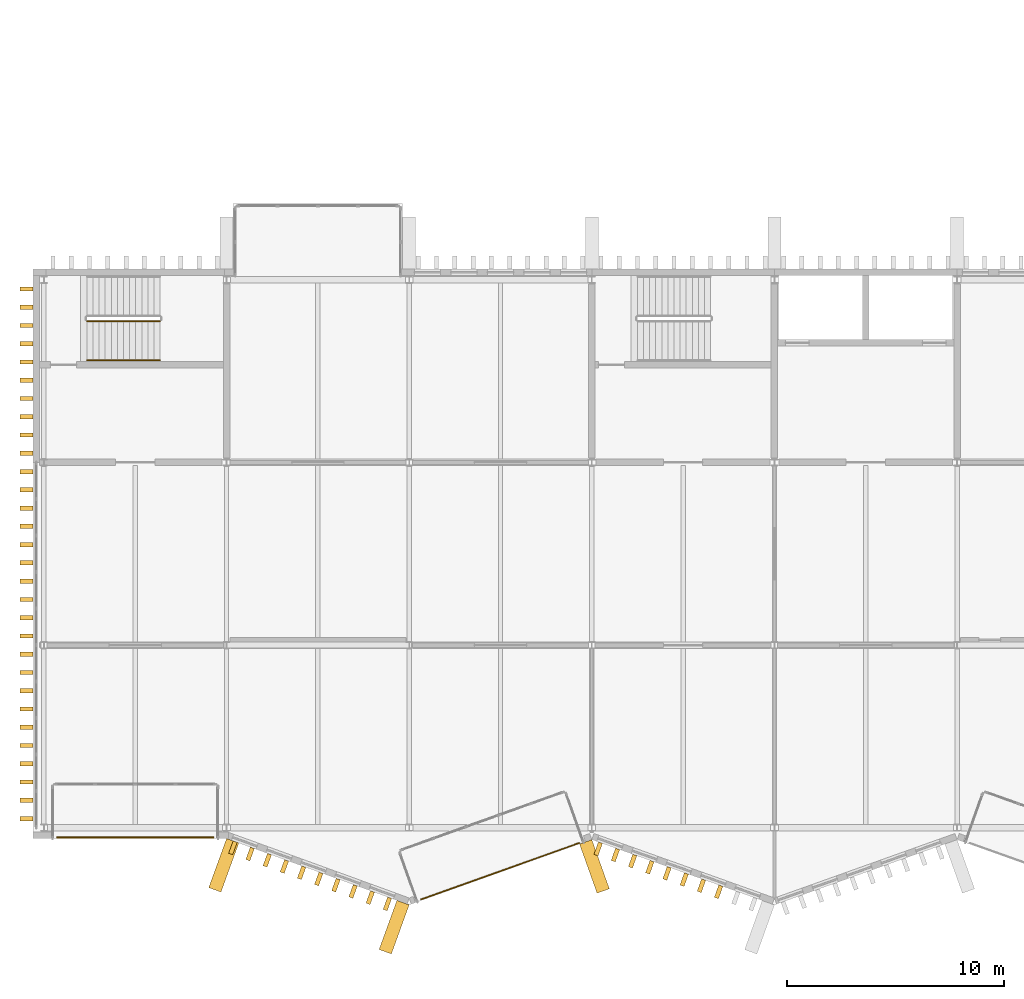
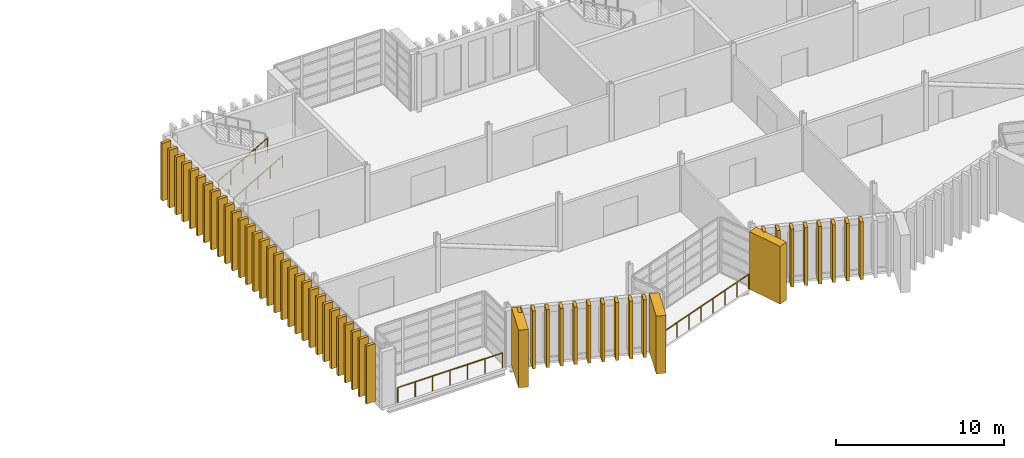
# One storey, part 87 of 100: 51 coverings, 4 railings.
"""IFC4 building model written with IfcOpenShell, lengths in metres."""

from ifc_helpers import new_model, si_unit, direction, frame, origin, origin_2d, place, context, subcontext, project, spatial, rectangle, circle, extrude, material, type_object, element, save


model = new_model("IFC4")

# Units and contexts
model_context = context("Model", 3, precision=1e-05, world=origin(), true_north=direction((0.0, 1.0)))
body_context = subcontext(model_context, "Body", "Model", "MODEL_VIEW")
ifc_project = project(units=[si_unit("LENGTHUNIT", "METRE"), si_unit("AREAUNIT", "SQUARE_METRE"), si_unit("VOLUMEUNIT", "CUBIC_METRE"), si_unit("PLANEANGLEUNIT", "RADIAN"), si_unit("MASSUNIT", "GRAM", prefix="KILO")], contexts=[model_context])

# Site, building, storey
site_placement = place(None, origin())
site = spatial("IfcSite", under=ifc_project, at=site_placement, CompositionType="ELEMENT")
building_placement = place(site_placement, origin())
building = spatial("IfcBuilding", under=site, at=building_placement, Name="Cresset Court Congress Hotel", CompositionType="ELEMENT")
storey_placement = place(building_placement, frame((0.0, 0.0, 10.199951171875)))
storey = spatial("IfcBuildingStorey", under=building, at=storey_placement, Name="L02", CompositionType="ELEMENT", Elevation=10.199951171875)

# Railings
ifc_material_1 = material(Name="Steel and laminated glass", Category="steel")
railing_type_1 = type_object("IfcRailingType", Name="Guard 1100 steel and glass", PredefinedType="GUARDRAIL", material=ifc_material_1)
railing_1_placement = place(storey_placement, frame((10.3798828125, 23.300048828125, 0.16162109375)))
element("IfcRailing", 1, at=railing_1_placement, inside=storey, type_object=railing_type_1, Name="L02 ST-B1 stair guard 1", PredefinedType="GUARDRAIL", context=body_context, shape_type="SweptSolid", body=[
    extrude(circle(Radius=0.02392578125, at=origin_2d()), frame((0.0, 0.0, 1.076171875), z_axis=(0.866190824863, 0.0, 0.499713372768), x_axis=(0.0, 1.0, 0.0)), (0.0, 0.0, 1.0), 3.879150390625),
    extrude(circle(Radius=0.02099609375, at=origin_2d()), origin(), (0.0, 0.0, 1.0), 1.052001953125),
    extrude(circle(Radius=0.02099609375, at=origin_2d()), frame((0.840087890625, 0.0, 0.484619140625)), (0.0, 0.0, 1.0), 1.052001953125),
    extrude(circle(Radius=0.02099609375, at=origin_2d()), frame((1.68017578125, 0.0, 0.96923828125)), (0.0, 0.0, 1.0), 1.052001953125),
    extrude(circle(Radius=0.02099609375, at=origin_2d()), frame((2.52001953125, 0.0, 1.453857421875)), (0.0, 0.0, 1.0), 1.052001953125),
    extrude(circle(Radius=0.02099609375, at=origin_2d()), frame((3.360107421875, 0.0, 1.9384765625)), (0.0, 0.0, 1.0), 1.052001953125),
])
ifc_material_2 = material(Name="Steel and laminated glass", Category="steel")
railing_type_2 = type_object("IfcRailingType", Name="Guard 1100 steel and glass external", PredefinedType="GUARDRAIL", material=ifc_material_2)
railing_2_placement = place(storey_placement, frame((9.0, -0.449951171875, 0.0)))
element("IfcRailing", 2, at=railing_2_placement, inside=storey, type_object=railing_type_2, Name="Guard to recess S0201", PredefinedType="GUARDRAIL", context=body_context, shape_type="SweptSolid", body=[
    extrude(circle(Radius=0.02392578125, at=origin_2d()), frame((0.0, 0.0, 1.076171875), z_axis=(1.0, 0.0, 0.0), x_axis=(0.0, 1.0, 0.0)), (0.0, 0.0, 1.0), 7.199951171875),
    extrude(circle(Radius=0.02099609375, at=origin_2d()), origin(), (0.0, 0.0, 1.0), 1.052001953125),
    extrude(circle(Radius=0.02099609375, at=origin_2d()), frame((1.199951171875, 0.0, 0.0)), (0.0, 0.0, 1.0), 1.052001953125),
    extrude(circle(Radius=0.02099609375, at=origin_2d()), frame((2.39990234375, 0.0, 0.0)), (0.0, 0.0, 1.0), 1.052001953125),
    extrude(circle(Radius=0.02099609375, at=origin_2d()), frame((3.60009765625, 0.0, 0.0)), (0.0, 0.0, 1.0), 1.052001953125),
    extrude(circle(Radius=0.02099609375, at=origin_2d()), frame((4.800048828125, 0.0, 0.0)), (0.0, 0.0, 1.0), 1.052001953125),
    extrude(circle(Radius=0.02099609375, at=origin_2d()), frame((6.0, 0.0, 0.0)), (0.0, 0.0, 1.0), 1.052001953125),
    extrude(circle(Radius=0.02099609375, at=origin_2d()), frame((7.199951171875, 0.0, 0.0)), (0.0, 0.0, 1.0), 1.052001953125),
])
railing_3_placement = place(storey_placement, frame((25.748291015625, -3.301025390625, 0.0)))
element("IfcRailing", 3, at=railing_3_placement, inside=storey, type_object=railing_type_2, Name="Guard to recess S0204", PredefinedType="GUARDRAIL", context=body_context, shape_type="SweptSolid", body=[
    extrude(circle(Radius=0.02392578125, at=origin_2d()), frame((0.0, 0.0, 1.076171875), z_axis=(0.941748351249, 0.336318365422, 0.0), x_axis=(-0.336318365422, 0.941748351249, 0.0)), (0.0, 0.0, 1.0), 7.719482421875),
    extrude(circle(Radius=0.02099609375, at=origin_2d()), origin(), (0.0, 0.0, 1.0), 1.052001953125),
    extrude(circle(Radius=0.02099609375, at=origin_2d()), frame((1.03857421875, 0.370849609375, 0.0)), (0.0, 0.0, 1.0), 1.052001953125),
    extrude(circle(Radius=0.02099609375, at=origin_2d()), frame((2.0771484375, 0.74169921875, 0.0)), (0.0, 0.0, 1.0), 1.052001953125),
    extrude(circle(Radius=0.02099609375, at=origin_2d()), frame((3.11572265625, 1.112548828125, 0.0)), (0.0, 0.0, 1.0), 1.052001953125),
    extrude(circle(Radius=0.02099609375, at=origin_2d()), frame((4.154052734375, 1.483642578125, 0.0)), (0.0, 0.0, 1.0), 1.052001953125),
    extrude(circle(Radius=0.02099609375, at=origin_2d()), frame((5.192626953125, 1.8544921875, 0.0)), (0.0, 0.0, 1.0), 1.052001953125),
    extrude(circle(Radius=0.02099609375, at=origin_2d()), frame((6.231201171875, 2.225341796875, 0.0)), (0.0, 0.0, 1.0), 1.052001953125),
    extrude(circle(Radius=0.02099609375, at=origin_2d()), frame((7.269775390625, 2.59619140625, 0.0)), (0.0, 0.0, 1.0), 1.052001953125),
])
ifc_material_3 = material(Name="Stainless steel", Category="steel")
railing_type_3 = type_object("IfcRailingType", Name="Handrail 48 stainless", PredefinedType="HANDRAIL", material=ifc_material_3)
railing_4_placement = place(storey_placement, frame((10.3798828125, 21.5, 0.16162109375)))
element("IfcRailing", 4, at=railing_4_placement, inside=storey, type_object=railing_type_3, Name="L02 ST-B1 stair handrail 1", PredefinedType="HANDRAIL", context=body_context, shape_type="SweptSolid", body=[
    extrude(circle(Radius=0.02392578125, at=origin_2d()), frame((0.0, 0.0, 0.8759765625), z_axis=(0.866190824863, 0.0, 0.499713372768), x_axis=(0.0, 1.0, 0.0)), (0.0, 0.0, 1.0), 3.879150390625),
    extrude(circle(Radius=0.02099609375, at=origin_2d()), origin(), (0.0, 0.0, 1.0), 0.851806640625),
    extrude(circle(Radius=0.02099609375, at=origin_2d()), frame((0.840087890625, 0.0, 0.484619140625)), (0.0, 0.0, 1.0), 0.851806640625),
    extrude(circle(Radius=0.02099609375, at=origin_2d()), frame((1.68017578125, 0.0, 0.96923828125)), (0.0, 0.0, 1.0), 0.851806640625),
    extrude(circle(Radius=0.02099609375, at=origin_2d()), frame((2.52001953125, 0.0, 1.453857421875)), (0.0, 0.0, 1.0), 0.851806640625),
    extrude(circle(Radius=0.02099609375, at=origin_2d()), frame((3.360107421875, 0.0, 1.9384765625)), (0.0, 0.0, 1.0), 0.851806640625),
])

# Coverings
ifc_material_4 = material(Name="Precast concrete C50", Category="concrete")
covering_type_1 = type_object("IfcCoveringType", Name="Precast stone fin 200x600 variant 1", PredefinedType="CLADDING", material=ifc_material_4)
for number, where, z_axis, x_axis, name in (
    (5, (17.09228515625, -0.92529296875, 0.0), (0.0, 0.0, 1.0), (0.939956783309, -0.341293488819, 0.0), "Fin S02-010"),
    (6, (17.8818359375, -1.2119140625, 0.0), (0.0, 0.0, 1.0), (0.939956783309, -0.341293488819, 0.0), "Fin S02-011"),
    (7, (18.671630859375, -1.498779296875, 0.0), (0.0, 0.0, 1.0), (0.939956783309, -0.341293488819, 0.0), "Fin S02-012"),
    (8, (19.461181640625, -1.785400390625, 0.0), (0.0, 0.0, 1.0), (0.939956783309, -0.341293488819, 0.0), "Fin S02-013"),
    (9, (20.250732421875, -2.072021484375, 0.0), (0.0, 0.0, 1.0), (0.939956783309, -0.341293488819, 0.0), "Fin S02-014"),
    (10, (21.040283203125, -2.358642578125, 0.0), (0.0, 0.0, 1.0), (0.939956783309, -0.341293488819, 0.0), "Fin S02-015"),
    (11, (21.829833984375, -2.6455078125, 0.0), (0.0, 0.0, 1.0), (0.939956783309, -0.341293488819, 0.0), "Fin S02-016"),
    (12, (22.619384765625, -2.93212890625, 0.0), (0.0, 0.0, 1.0), (0.939956783309, -0.341293488819, 0.0), "Fin S02-017"),
    (13, (23.408935546875, -3.21875, 0.0), (0.0, 0.0, 1.0), (0.939956783309, -0.341293488819, 0.0), "Fin S02-018"),
    (14, (24.198486328125, -3.505615234375, 0.0), (0.0, 0.0, 1.0), (0.939956783309, -0.341293488819, 0.0), "Fin S02-019"),
    (15, (33.89453125, -0.973876953125, 0.0), (0.0, 0.0, 1.0), (0.94174205282, -0.336336001568, 0.0), "Fin S02-030"),
    (16, (34.685791015625, -1.25634765625, 0.0), (0.0, 0.0, 1.0), (0.94174205282, -0.336336001568, 0.0), "Fin S02-031"),
    (17, (35.476806640625, -1.538818359375, 0.0), (0.0, 0.0, 1.0), (0.94174205282, -0.336336001568, 0.0), "Fin S02-032"),
    (18, (36.267822265625, -1.8212890625, 0.0), (0.0, 0.0, 1.0), (0.94174205282, -0.336336001568, 0.0), "Fin S02-033"),
    (19, (37.058837890625, -2.103759765625, 0.0), (0.0, 0.0, 1.0), (0.94174205282, -0.336336001568, 0.0), "Fin S02-034"),
    (20, (37.849853515625, -2.386474609375, 0.0), (0.0, 0.0, 1.0), (0.94174205282, -0.336336001568, 0.0), "Fin S02-035"),
    (21, (38.64111328125, -2.6689453125, 0.0), (0.0, 0.0, 1.0), (0.94174205282, -0.336336001568, 0.0), "Fin S02-036"),
    (22, (39.43212890625, -2.951416015625, 0.0), (0.0, 0.0, 1.0), (0.94174205282, -0.336336001568, 0.0), "Fin S02-037"),
):
    element("IfcCovering", number, at=place(storey_placement, frame(where, z_axis=z_axis, x_axis=x_axis)), inside=storey, type_object=covering_type_1, Name=name, PredefinedType="CLADDING", context=body_context, shape_type="SweptSolid", body=[
        extrude(rectangle(XDim=0.199951171875, YDim=0.60009765625, at=origin_2d()), origin(), (0.0, 0.0, 1.0), 4.199951171875),
    ])
for number, where, z_axis, x_axis, name in (
    (23, (7.60009765625, 0.419921875, 0.0), (0.0, 0.0, 1.0), (1.0, 0.0, 0.0), "Fin W02-000"),
    (24, (7.60009765625, 1.260009765625, 0.0), (0.0, 0.0, 1.0), (1.0, 0.0, 0.0), "Fin W02-001"),
    (25, (7.60009765625, 2.10009765625, 0.0), (0.0, 0.0, 1.0), (1.0, 0.0, 0.0), "Fin W02-002"),
    (26, (7.60009765625, 2.93994140625, 0.0), (0.0, 0.0, 1.0), (1.0, 0.0, 0.0), "Fin W02-003"),
    (27, (7.60009765625, 3.780029296875, 0.0), (0.0, 0.0, 1.0), (1.0, 0.0, 0.0), "Fin W02-004"),
    (28, (7.60009765625, 4.6201171875, 0.0), (0.0, 0.0, 1.0), (1.0, 0.0, 0.0), "Fin W02-005"),
    (29, (7.60009765625, 5.4599609375, 0.0), (0.0, 0.0, 1.0), (1.0, 0.0, 0.0), "Fin W02-006"),
    (30, (7.60009765625, 6.300048828125, 0.0), (0.0, 0.0, 1.0), (1.0, 0.0, 0.0), "Fin W02-007"),
    (31, (7.60009765625, 7.139892578125, 0.0), (0.0, 0.0, 1.0), (1.0, 0.0, 0.0), "Fin W02-008"),
    (32, (7.60009765625, 7.97998046875, 0.0), (0.0, 0.0, 1.0), (1.0, 0.0, 0.0), "Fin W02-009"),
    (33, (7.60009765625, 8.820068359375, 0.0), (0.0, 0.0, 1.0), (1.0, 0.0, 0.0), "Fin W02-010"),
    (34, (7.60009765625, 9.659912109375, 0.0), (0.0, 0.0, 1.0), (1.0, 0.0, 0.0), "Fin W02-011"),
    (35, (7.60009765625, 10.5, 0.0), (0.0, 0.0, 1.0), (1.0, 0.0, 0.0), "Fin W02-012"),
    (36, (7.60009765625, 11.340087890625, 0.0), (0.0, 0.0, 1.0), (1.0, 0.0, 0.0), "Fin W02-013"),
    (37, (7.60009765625, 12.179931640625, 0.0), (0.0, 0.0, 1.0), (1.0, 0.0, 0.0), "Fin W02-014"),
    (38, (7.60009765625, 13.02001953125, 0.0), (0.0, 0.0, 1.0), (1.0, 0.0, 0.0), "Fin W02-015"),
    (39, (7.60009765625, 13.860107421875, 0.0), (0.0, 0.0, 1.0), (1.0, 0.0, 0.0), "Fin W02-016"),
    (40, (7.60009765625, 14.699951171875, 0.0), (0.0, 0.0, 1.0), (1.0, 0.0, 0.0), "Fin W02-017"),
    (41, (7.60009765625, 15.5400390625, 0.0), (0.0, 0.0, 1.0), (1.0, 0.0, 0.0), "Fin W02-018"),
    (42, (7.60009765625, 16.3798828125, 0.0), (0.0, 0.0, 1.0), (1.0, 0.0, 0.0), "Fin W02-019"),
    (43, (7.60009765625, 17.219970703125, 0.0), (0.0, 0.0, 1.0), (1.0, 0.0, 0.0), "Fin W02-020"),
    (44, (7.60009765625, 18.06005859375, 0.0), (0.0, 0.0, 1.0), (1.0, 0.0, 0.0), "Fin W02-021"),
    (45, (7.60009765625, 18.89990234375, 0.0), (0.0, 0.0, 1.0), (1.0, 0.0, 0.0), "Fin W02-022"),
    (46, (7.60009765625, 19.739990234375, 0.0), (0.0, 0.0, 1.0), (1.0, 0.0, 0.0), "Fin W02-023"),
    (47, (7.60009765625, 20.580078125, 0.0), (0.0, 0.0, 1.0), (1.0, 0.0, 0.0), "Fin W02-024"),
    (48, (7.60009765625, 21.419921875, 0.0), (0.0, 0.0, 1.0), (1.0, 0.0, 0.0), "Fin W02-025"),
    (49, (7.60009765625, 22.260009765625, 0.0), (0.0, 0.0, 1.0), (1.0, 0.0, 0.0), "Fin W02-026"),
    (50, (7.60009765625, 23.10009765625, 0.0), (0.0, 0.0, 1.0), (1.0, 0.0, 0.0), "Fin W02-027"),
    (51, (7.60009765625, 23.93994140625, 0.0), (0.0, 0.0, 1.0), (1.0, 0.0, 0.0), "Fin W02-028"),
    (52, (7.60009765625, 24.780029296875, 0.0), (0.0, 0.0, 1.0), (1.0, 0.0, 0.0), "Fin W02-029"),
):
    element("IfcCovering", number, at=place(storey_placement, frame(where, z_axis=z_axis, x_axis=x_axis)), inside=storey, type_object=covering_type_1, Name=name, PredefinedType="CLADDING", context=body_context, shape_type="SweptSolid", body=[
        extrude(rectangle(XDim=0.60009765625, YDim=0.199951171875, at=origin_2d()), origin(), (0.0, 0.0, 1.0), 4.199951171875),
    ])
ifc_material_5 = material(Name="Precast concrete C50", Category="concrete")
covering_type_2 = type_object("IfcCoveringType", Name="Precast stone pier 600x2400", PredefinedType="CLADDING", material=ifc_material_5)
for number, where, z_axis, x_axis, name in (
    (53, (24.508544921875, -4.575439453125, 0.0), (0.0, 0.0, 1.0), (0.939956783309, -0.341293488819, 0.0), "Pier S02-02"),
    (54, (16.67236328125, -1.730224609375, 0.0), (0.0, 0.0, 1.0), (0.939956783309, -0.341293488819, 0.0), "Pier S02-01"),
    (55, (33.72119140625, -1.781005859375, 0.0), (0.0, 0.0, 1.0), (0.94174205282, 0.336336001568, 0.0), "Pier S02-03"),
):
    element("IfcCovering", number, at=place(storey_placement, frame(where, z_axis=z_axis, x_axis=x_axis)), inside=storey, type_object=covering_type_2, Name=name, PredefinedType="CLADDING", context=body_context, shape_type="SweptSolid", body=[
        extrude(rectangle(XDim=0.60009765625, YDim=2.39990234375, at=origin_2d()), origin(), (0.0, 0.0, 1.0), 4.199951171875),
    ])

save(model, "model.ifc")
